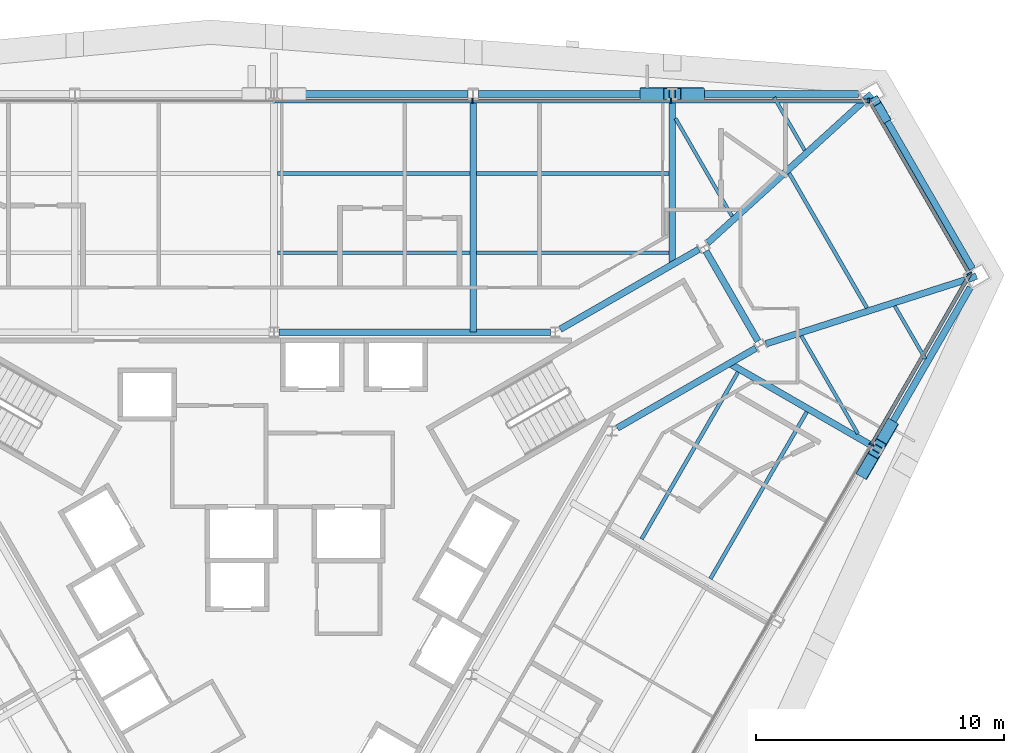
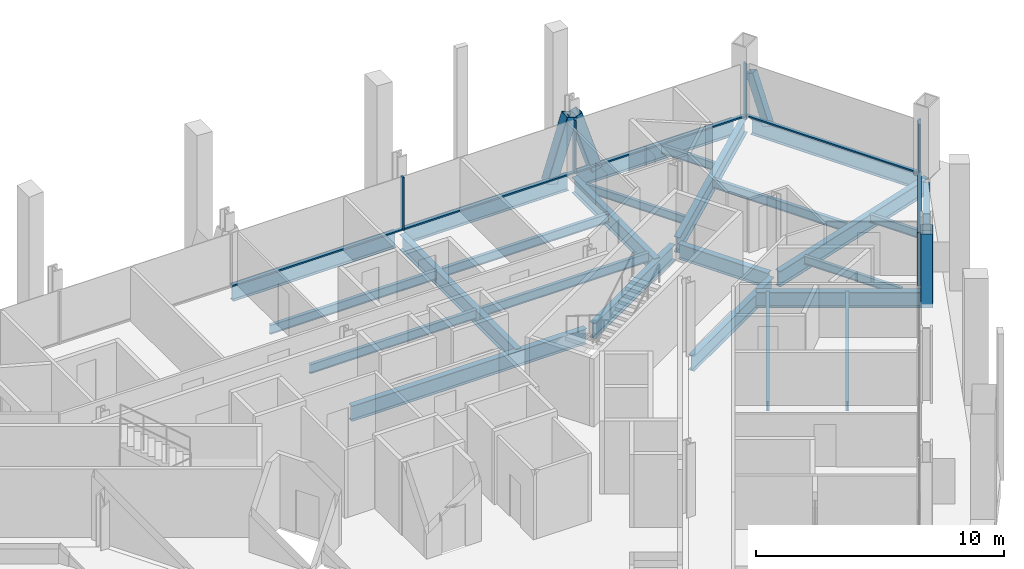
# One storey, part 8 of 16: 25 beams, 15 members, 3 elements without a shape of their own.
"""IFC4 building model written with IfcOpenShell, lengths in metres."""

from ifc_helpers import new_model, si_unit, direction, frame, origin, origin_2d, place, context, subcontext, project, spatial, rectangle, hollow_rectangle, i_section, extrude, material, material_profile, profile_set, type_object, element, aggregate, save


model = new_model("IFC4")

# Units and contexts
model_context = context("Model", 3, precision=1e-05, world=origin(), true_north=direction((0.0, 1.0)))
body_context = subcontext(model_context, "Body", "Model", "MODEL_VIEW")
ifc_project = project(units=[si_unit("LENGTHUNIT", "METRE"), si_unit("AREAUNIT", "SQUARE_METRE"), si_unit("VOLUMEUNIT", "CUBIC_METRE"), si_unit("PLANEANGLEUNIT", "RADIAN"), si_unit("MASSUNIT", "GRAM", prefix="KILO")], contexts=[model_context])

# Site, building, storey
site_placement = place(None, origin())
site = spatial("IfcSite", under=ifc_project, at=site_placement, CompositionType="ELEMENT")
building_placement = place(site_placement, origin())
building = spatial("IfcBuilding", under=site, at=building_placement, Name="Verrane Prism Tower", CompositionType="ELEMENT")
storey_placement = place(building_placement, frame((0.0, 0.0, 114.39990234375)))
storey = spatial("IfcBuildingStorey", under=building, at=storey_placement, Name="L27", CompositionType="ELEMENT", Elevation=114.39990234375)

# Member
ifc_material_1 = material(Name="Steel A500 Grade C", Category="steel")
ifc_material_profile_1 = material_profile(ifc_material_1, hollow_rectangle(XDim=0.355712890625, YDim=0.355712890625, WallThickness=0.0126953125, InnerFilletRadius=0.00634765625, OuterFilletRadius=0.01904296875, at=origin_2d()), Name="HSS14x14x1/2")
ifc_profile_set_1 = profile_set([ifc_material_profile_1], Name="Steel A500 Grade C")
member_type_1 = type_object("IfcMemberType", Name="Chamfer brace HSS14x14x1/2", PredefinedType="BRACE", material=ifc_profile_set_1)
member_1_placement = place(storey_placement, frame((24.62548828125, 17.828369140625, -0.2451171875), z_axis=(-0.159494912328, 0.276064033437, 0.947813284558), x_axis=(-0.865876963139, -0.500257018647, 0.0)))
element("IfcMember", 1, at=member_1_placement, inside=storey, type_object=member_type_1, Name="Chamfer brace NE0 L27", PredefinedType="BRACE", context=body_context, shape_type="SweptSolid", body=[
    extrude(hollow_rectangle(XDim=0.355712890625, YDim=0.355712890625, WallThickness=0.0126953125, InnerFilletRadius=0.00634765625, OuterFilletRadius=0.01904296875, at=origin_2d()), origin(), (0.0, 0.0, 1.0), 2.479736328125),
])

# Beams
ifc_material_2 = material(Name="Steel A992", Category="steel")
ifc_material_profile_2 = material_profile(ifc_material_2, i_section(OverallWidth=0.2666015625, OverallDepth=0.76708984375, WebThickness=0.014892578125, FlangeThickness=0.023681640625, FilletRadius=0.0166015625, at=origin_2d()), Name="W30x124")
ifc_profile_set_2 = profile_set([ifc_material_profile_2], Name="Steel A992")
beam_type_1 = type_object("IfcBeamType", Name="Chamfer spandrel beam W30x124", PredefinedType="SPANDREL", material=ifc_profile_set_2)
beam_1_placement = place(storey_placement, frame((28.135009765625, 11.753173828125, -0.54345703125), z_axis=(-0.500214307011, 0.865901638214, 0.0), x_axis=(-0.865901638214, -0.500214307011, 0.0)))
element("IfcBeam", 2, at=beam_1_placement, inside=storey, type_object=beam_type_1, Name="Chamfer spandrel beam L27", PredefinedType="SPANDREL", context=body_context, shape_type="SweptSolid", body=[
    extrude(i_section(OverallWidth=0.2666015625, OverallDepth=0.76708984375, WebThickness=0.014892578125, FlangeThickness=0.023681640625, FilletRadius=0.0166015625, at=origin_2d()), origin(), (0.0, 0.0, 1.0), 7.7763671875),
])
ifc_material_3 = material(Name="Steel A992", Category="steel")
ifc_material_profile_3 = material_profile(ifc_material_3, i_section(OverallWidth=0.2666015625, OverallDepth=0.7568359375, WebThickness=0.013916015625, FlangeThickness=0.019287109375, FilletRadius=0.0166015625, at=origin_2d()), Name="W30x108")
ifc_profile_set_3 = profile_set([ifc_material_profile_3], Name="Steel A992")
beam_type_2 = type_object("IfcBeamType", Name="Core ring girder W30x108", PredefinedType="BEAM", material=ifc_profile_set_3)
beam_2_placement = place(storey_placement, frame((13.830810546875, 5.335693359375, -0.62841796875), z_axis=(0.866455532004, 0.499254254924, 0.0), x_axis=(-0.499254254924, 0.866455532004, 0.0)))
element("IfcBeam", 3, at=beam_2_placement, inside=storey, type_object=beam_type_2, Name="Core ring girder L27", PredefinedType="BEAM", context=body_context, shape_type="SweptSolid", body=[
    extrude(i_section(OverallWidth=0.2666015625, OverallDepth=0.7568359375, WebThickness=0.013916015625, FlangeThickness=0.019287109375, FilletRadius=0.0166015625, at=origin_2d()), origin(), (0.0, 0.0, 1.0), 6.441162109375),
])
beam_3_placement = place(storey_placement, frame((19.4970703125, 8.838134765625, -0.62841796875), z_axis=(-0.500367003619, 0.865813410435, 0.0), x_axis=(-0.865813410435, -0.500367003619, 0.0)))
element("IfcBeam", 4, at=beam_3_placement, inside=storey, type_object=beam_type_2, Name="Core ring girder L27", PredefinedType="BEAM", context=body_context, shape_type="SweptSolid", body=[
    extrude(i_section(OverallWidth=0.2666015625, OverallDepth=0.7568359375, WebThickness=0.013916015625, FlangeThickness=0.019287109375, FilletRadius=0.0166015625, at=origin_2d()), origin(), (0.0, 0.0, 1.0), 4.185302734375),
])
beam_4_placement = place(storey_placement, frame((17.11181640625, 12.531494140625, -0.62841796875), z_axis=(-0.866455532004, -0.499254254924, 0.0), x_axis=(0.499254254924, -0.866455532004, 0.0)))
element("IfcBeam", 5, at=beam_4_placement, inside=storey, type_object=beam_type_2, Name="Core ring girder L27", PredefinedType="BEAM", context=body_context, shape_type="SweptSolid", body=[
    extrude(i_section(OverallWidth=0.2666015625, OverallDepth=0.7568359375, WebThickness=0.013916015625, FlangeThickness=0.019287109375, FilletRadius=0.0166015625, at=origin_2d()), origin(), (0.0, 0.0, 1.0), 6.441162109375),
])
beam_5_placement = place(storey_placement, frame((11.12939453125, 9.199951171875, -0.62841796875), z_axis=(-1.0, 0.0, 0.0), x_axis=(0.0, -1.0, 0.0)))
element("IfcBeam", 6, at=beam_5_placement, inside=storey, type_object=beam_type_2, Name="Core ring girder L27", PredefinedType="BEAM", context=body_context, shape_type="SweptSolid", body=[
    extrude(i_section(OverallWidth=0.2666015625, OverallDepth=0.7568359375, WebThickness=0.013916015625, FlangeThickness=0.019287109375, FilletRadius=0.0166015625, at=origin_2d()), origin(), (0.0, 0.0, 1.0), 10.9287109375),
])
ifc_material_4 = material(Name="Steel A992", Category="steel")
ifc_material_profile_4 = material_profile(ifc_material_4, i_section(OverallWidth=0.2666015625, OverallDepth=0.76708984375, WebThickness=0.014892578125, FlangeThickness=0.023681640625, FilletRadius=0.0166015625, at=origin_2d()), Name="W30x124")
ifc_profile_set_4 = profile_set([ifc_material_profile_4], Name="Steel A992")
beam_type_3 = type_object("IfcBeamType", Name="Corner girder W30x124", PredefinedType="BEAM", material=ifc_profile_set_4)
beam_6_placement = place(storey_placement, frame((28.3056640625, 11.448486328125, -0.603515625), z_axis=(-0.952340206189, -0.305037918423, 0.0), x_axis=(0.305037918423, -0.952340206189, 0.0)))
element("IfcBeam", 7, at=beam_6_placement, inside=storey, type_object=beam_type_3, Name="Corner girder L27", PredefinedType="BEAM", context=body_context, shape_type="SweptSolid", body=[
    extrude(i_section(OverallWidth=0.2666015625, OverallDepth=0.76708984375, WebThickness=0.014892578125, FlangeThickness=0.023681640625, FilletRadius=0.0166015625, at=origin_2d()), origin(), (0.0, 0.0, 1.0), 8.919189453125),
])
beam_7_placement = place(storey_placement, frame((24.068115234375, 18.788330078125, -0.603515625), z_axis=(-0.740172818675, -0.67241668517, 0.0), x_axis=(0.67241668517, -0.740172818675, 0.0)))
element("IfcBeam", 8, at=beam_7_placement, inside=storey, type_object=beam_type_3, Name="Corner girder L27", PredefinedType="BEAM", context=body_context, shape_type="SweptSolid", body=[
    extrude(i_section(OverallWidth=0.2666015625, OverallDepth=0.76708984375, WebThickness=0.014892578125, FlangeThickness=0.023681640625, FilletRadius=0.0166015625, at=origin_2d()), origin(), (0.0, 0.0, 1.0), 8.921630859375),
])

# Members
ifc_material_5 = material(Name="Steel A1085 Grade A", Category="steel")
ifc_material_profile_5 = material_profile(ifc_material_5, hollow_rectangle(XDim=0.508056640625, YDim=0.508056640625, WallThickness=0.025390625, InnerFilletRadius=0.0126953125, OuterFilletRadius=0.0380859375, at=origin_2d()), Name="HSS20x20x1")
ifc_profile_set_5 = profile_set([ifc_material_profile_5], Name="Steel A1085 Grade A")
member_type_2 = type_object("IfcMemberType", Name="Facade brace HSS20x20x1", PredefinedType="BRACE", material=ifc_profile_set_5)
member_2_placement = place(storey_placement, frame((17.093017578125, 18.7900390625, -0.242431640625), z_axis=(-0.303647538886, 0.0, 0.952784431091), x_axis=(0.0, -1.0, 0.0)))
element("IfcMember", 9, at=member_2_placement, inside=storey, type_object=member_type_2, Name="Facade brace N0 L27", PredefinedType="BRACE", context=body_context, shape_type="SweptSolid", body=[
    extrude(hollow_rectangle(XDim=0.508056640625, YDim=0.508056640625, WallThickness=0.025390625, InnerFilletRadius=0.0126953125, OuterFilletRadius=0.0380859375, at=origin_2d()), origin(), (0.0, 0.0, 1.0), 3.10986328125),
])
member_3_placement = place(storey_placement, frame((14.988525390625, 18.7900390625, -0.242431640625), z_axis=(0.303219860808, 0.0, 0.952920624192), x_axis=(0.0, 1.0, 0.0)))
element("IfcMember", 10, at=member_3_placement, inside=storey, type_object=member_type_2, Name="Facade brace N1 L27", PredefinedType="BRACE", context=body_context, shape_type="SweptSolid", body=[
    extrude(hollow_rectangle(XDim=0.508056640625, YDim=0.508056640625, WallThickness=0.025390625, InnerFilletRadius=0.0126953125, OuterFilletRadius=0.0380859375, at=origin_2d()), origin(), (0.0, 0.0, 1.0), 3.109619140625),
])
member_4_placement = place(storey_placement, frame((23.77294921875, 3.5888671875, -0.242431640625), z_axis=(0.151985888014, 0.262756594619, 0.952816489062), x_axis=(-0.865620994391, 0.500699804344, 0.0)))
element("IfcMember", 11, at=member_4_placement, inside=storey, type_object=member_type_2, Name="Facade brace SE4 L27", PredefinedType="BRACE", context=body_context, shape_type="SweptSolid", body=[
    extrude(hollow_rectangle(XDim=0.508056640625, YDim=0.508056640625, WallThickness=0.025390625, InnerFilletRadius=0.0126953125, OuterFilletRadius=0.0380859375, at=origin_2d()), origin(), (0.0, 0.0, 1.0), 3.10986328125),
])
member_5_placement = place(storey_placement, frame((24.82568359375, 5.4111328125, -0.242431640625), z_axis=(-0.151602395414, -0.262772251399, 0.952873264185), x_axis=(0.866181277581, -0.499729921425, 0.0)))
element("IfcMember", 12, at=member_5_placement, inside=storey, type_object=member_type_2, Name="Facade brace SE5 L27", PredefinedType="BRACE", context=body_context, shape_type="SweptSolid", body=[
    extrude(hollow_rectangle(XDim=0.508056640625, YDim=0.508056640625, WallThickness=0.025390625, InnerFilletRadius=0.0126953125, OuterFilletRadius=0.0380859375, at=origin_2d()), origin(), (0.0, 0.0, 1.0), 3.109619140625),
])

# Beams
ifc_material_6 = material(Name="Steel A992", Category="steel")
ifc_material_profile_6 = material_profile(ifc_material_6, i_section(OverallWidth=0.140380859375, OverallDepth=0.40380859375, WebThickness=0.007080078125, FlangeThickness=0.01123046875, FilletRadius=0.01025390625, at=origin_2d()), Name="W16x31")
ifc_profile_set_6 = profile_set([ifc_material_profile_6], Name="Steel A992")
beam_type_4 = type_object("IfcBeamType", Name="Floor beam W16x31", PredefinedType="BEAM", material=ifc_profile_set_6)
beam_8_placement = place(storey_placement, frame((21.37744140625, 16.5244140625, -0.36181640625), z_axis=(-0.500000007376, 0.866025399526, 0.0), x_axis=(-0.866025399526, -0.500000007376, 0.0)))
element("IfcBeam", 13, at=beam_8_placement, inside=storey, type_object=beam_type_4, Name="Floor beam L27", PredefinedType="BEAM", context=body_context, shape_type="SweptSolid", body=[
    extrude(i_section(OverallWidth=0.140380859375, OverallDepth=0.40380859375, WebThickness=0.007080078125, FlangeThickness=0.01123046875, FilletRadius=0.01025390625, at=origin_2d()), origin(), (0.0, 0.0, 1.0), 2.4619140625),
])
beam_9_placement = place(storey_placement, frame((18.4501953125, 13.864990234375, -0.36181640625), z_axis=(-0.500008678503, 0.86602039319, 0.0), x_axis=(-0.86602039319, -0.500008678503, 0.0)))
element("IfcBeam", 14, at=beam_9_placement, inside=storey, type_object=beam_type_4, Name="Floor beam L27", PredefinedType="BEAM", context=body_context, shape_type="SweptSolid", body=[
    extrude(i_section(OverallWidth=0.140380859375, OverallDepth=0.40380859375, WebThickness=0.007080078125, FlangeThickness=0.01123046875, FilletRadius=0.01025390625, at=origin_2d()), origin(), (0.0, 0.0, 1.0), 4.55322265625),
])
beam_10_placement = place(storey_placement, frame((26.23583984375, 8.122314453125, -0.36181640625), z_axis=(-0.500026134388, 0.866010314562, 0.0), x_axis=(-0.866010314562, -0.500026134388, 0.0)))
element("IfcBeam", 15, at=beam_10_placement, inside=storey, type_object=beam_type_4, Name="Floor beam L27", PredefinedType="BEAM", context=body_context, shape_type="SweptSolid", body=[
    extrude(i_section(OverallWidth=0.140380859375, OverallDepth=0.40380859375, WebThickness=0.007080078125, FlangeThickness=0.01123046875, FilletRadius=0.01025390625, at=origin_2d()), origin(), (0.0, 0.0, 1.0), 2.458740234375),
])
beam_11_placement = place(storey_placement, frame((23.5205078125, 5.104736328125, -0.36181640625), z_axis=(-0.500004125498, 0.866023021914, 0.0), x_axis=(-0.866023021914, -0.500004125498, 0.0)))
element("IfcBeam", 16, at=beam_11_placement, inside=storey, type_object=beam_type_4, Name="Floor beam L27", PredefinedType="BEAM", context=body_context, shape_type="SweptSolid", body=[
    extrude(i_section(OverallWidth=0.140380859375, OverallDepth=0.40380859375, WebThickness=0.007080078125, FlangeThickness=0.01123046875, FilletRadius=0.01025390625, at=origin_2d()), origin(), (0.0, 0.0, 1.0), 4.5517578125),
])
ifc_material_7 = material(Name="Steel A992", Category="steel")
ifc_material_profile_7 = material_profile(ifc_material_7, i_section(OverallWidth=0.15234375, OverallDepth=0.449462890625, WebThickness=0.007568359375, FlangeThickness=0.0107421875, FilletRadius=0.01025390625, at=origin_2d()), Name="W18x35")
ifc_profile_set_7 = profile_set([ifc_material_profile_7], Name="Steel A992")
beam_type_5 = type_object("IfcBeamType", Name="Floor beam W18x35", PredefinedType="BEAM", material=ifc_profile_set_7)
for number, where, z_axis, x_axis, name in (
    (17, (8.153564453125, 12.396728515625, -0.384765625), (1.0, 0.0, 0.0), (0.0, 1.0, 0.0), "Floor beam L27"),
    (18, (8.153564453125, 15.59326171875, -0.384765625), (1.0, 0.0, 0.0), (0.0, 1.0, 0.0), "Floor beam L27"),
    (19, (0.133544921875, 12.396728515625, -0.384765625), (1.0, 0.0, 0.0), (0.0, 1.0, 0.0), "Floor beam L27"),
    (20, (0.133544921875, 15.59326171875, -0.384765625), (1.0, 0.0, 0.0), (0.0, 1.0, 0.0), "Floor beam L27"),
):
    element("IfcBeam", number, at=place(storey_placement, frame(where, z_axis=z_axis, x_axis=x_axis)), inside=storey, type_object=beam_type_5, Name=name, PredefinedType="BEAM", context=body_context, shape_type="SweptSolid", body=[
        extrude(i_section(OverallWidth=0.15234375, OverallDepth=0.449462890625, WebThickness=0.007568359375, FlangeThickness=0.0107421875, FilletRadius=0.01025390625, at=origin_2d()), origin(), (0.0, 0.0, 1.0), 7.7529296875),
    ])
beam_12_placement = place(storey_placement, frame((17.58056640625, -0.736572265625, -0.384765625), z_axis=(0.499974721637, 0.866039997762, 0.0), x_axis=(-0.866039997762, 0.499974721637, 0.0)))
element("IfcBeam", 21, at=beam_12_placement, inside=storey, type_object=beam_type_5, Name="Floor beam L27", PredefinedType="BEAM", context=body_context, shape_type="SweptSolid", body=[
    extrude(i_section(OverallWidth=0.15234375, OverallDepth=0.449462890625, WebThickness=0.007568359375, FlangeThickness=0.0107421875, FilletRadius=0.01025390625, at=origin_2d()), origin(), (0.0, 0.0, 1.0), 7.76318359375),
])
beam_13_placement = place(storey_placement, frame((14.80859375, 0.864501953125, -0.384765625), z_axis=(0.500014594887, 0.866016977259, 0.0), x_axis=(-0.866016977259, 0.500014594887, 0.0)))
element("IfcBeam", 22, at=beam_13_placement, inside=storey, type_object=beam_type_5, Name="Floor beam L27", PredefinedType="BEAM", context=body_context, shape_type="SweptSolid", body=[
    extrude(i_section(OverallWidth=0.15234375, OverallDepth=0.449462890625, WebThickness=0.007568359375, FlangeThickness=0.0107421875, FilletRadius=0.01025390625, at=origin_2d()), origin(), (0.0, 0.0, 1.0), 7.764404296875),
])
beam_14_placement = place(storey_placement, frame((23.8857421875, 10.173095703125, -0.384765625), z_axis=(-0.50001262068, 0.866018117109, 0.0), x_axis=(-0.866018117109, -0.50001262068, 0.0)))
element("IfcBeam", 23, at=beam_14_placement, inside=storey, type_object=beam_type_5, Name="Floor beam L27", PredefinedType="BEAM", context=body_context, shape_type="SweptSolid", body=[
    extrude(i_section(OverallWidth=0.15234375, OverallDepth=0.449462890625, WebThickness=0.007568359375, FlangeThickness=0.0107421875, FilletRadius=0.01025390625, at=origin_2d()), origin(), (0.0, 0.0, 1.0), 6.263427734375),
])

# Curtain wall, member
ifc_material_8 = material(Name="Aluminium framed insulated glazing", Category="aluminium")
curtain_wall_type = type_object("IfcCurtainWallType", Name="Curtain wall CW-A 8400 module", PredefinedType="NOTDEFINED", material=ifc_material_8)
curtain_wall_1_placement = place(storey_placement, origin())
curtain_wall_1 = element("IfcCurtainWall", 24, at=curtain_wall_1_placement, inside=storey, type_object=curtain_wall_type, Name="Glazed curtain wall north-east corner L27", PredefinedType="NOTDEFINED")
ifc_material_9 = material(Name="Aluminium alloy 6063-T6", Category="aluminium")
ifc_material_profile_8 = material_profile(ifc_material_9, rectangle(XDim=0.199951171875, YDim=0.070068359375, at=origin_2d()), Name="Mullion 70x200 aluminium")
ifc_profile_set_8 = profile_set([ifc_material_profile_8], Name="Aluminium alloy 6063-T6")
member_type_3 = type_object("IfcMemberType", Name="Mullion 70x200 aluminium", PredefinedType="MULLION", material=ifc_profile_set_8)
member_6_placement = place(storey_placement, frame((28.010498046875, 11.55419921875, 0.0), z_axis=(0.0, 0.0, 1.0), x_axis=(-0.866027890405, -0.499995693021, 0.0)))
member_6 = element("IfcMember", 25, at=member_6_placement, type_object=member_type_3, Name="CW27.1 mullion 1", PredefinedType="MULLION", context=body_context, shape_type="SweptSolid", body=[
    extrude(rectangle(XDim=0.199951171875, YDim=0.070068359375, at=origin_2d()), origin(), (0.0, 0.0, 1.0), 2.613037109375),
])

# Curtain wall, members
curtain_wall_2_placement = place(storey_placement, origin())
curtain_wall_2 = element("IfcCurtainWall", 26, at=curtain_wall_2_placement, inside=storey, type_object=curtain_wall_type, Name="Glazed curtain wall north face L27", PredefinedType="NOTDEFINED")
member_7_placement = place(storey_placement, frame((23.958984375, 18.510986328125, 0.0), z_axis=(0.0, 0.0, 1.0), x_axis=(0.0, -1.0, 0.0)))
member_7 = element("IfcMember", 27, at=member_7_placement, type_object=member_type_3, Name="CW27.2 mullion 1", PredefinedType="MULLION", context=body_context, shape_type="SweptSolid", body=[
    extrude(rectangle(XDim=0.199951171875, YDim=0.070068359375, at=origin_2d()), origin(), (0.0, 0.0, 1.0), 2.613037109375),
])
member_8_placement = place(storey_placement, frame((15.99609375, 18.510986328125, 0.0), z_axis=(0.0, 0.0, 1.0), x_axis=(0.0, -1.0, 0.0)))
member_8 = element("IfcMember", 28, at=member_8_placement, type_object=member_type_3, Name="CW27.2 mullion 2", PredefinedType="MULLION", context=body_context, shape_type="SweptSolid", body=[
    extrude(rectangle(XDim=0.199951171875, YDim=0.070068359375, at=origin_2d()), origin(), (0.0, 0.0, 1.0), 2.613037109375),
])
member_9_placement = place(storey_placement, frame((7.998046875, 18.510986328125, 0.0), z_axis=(0.0, 0.0, 1.0), x_axis=(0.0, -1.0, 0.0)))
member_9 = element("IfcMember", 29, at=member_9_placement, type_object=member_type_3, Name="CW27.2 mullion 3", PredefinedType="MULLION", context=body_context, shape_type="SweptSolid", body=[
    extrude(rectangle(XDim=0.199951171875, YDim=0.070068359375, at=origin_2d()), origin(), (0.0, 0.0, 1.0), 2.613037109375),
])

# Curtain wall, member
curtain_wall_3_placement = place(storey_placement, origin())
curtain_wall_3 = element("IfcCurtainWall", 30, at=curtain_wall_3_placement, inside=storey, type_object=curtain_wall_type, Name="Glazed curtain wall south-east face L27", PredefinedType="NOTDEFINED")
member_10_placement = place(storey_placement, frame((24.07177734375, 4.671630859375, 0.0), z_axis=(0.0, 0.0, 1.0), x_axis=(-0.866026054504, 0.49999887292, 0.0)))
member_10 = element("IfcMember", 31, at=member_10_placement, type_object=member_type_3, Name="CW27.6 mullion 5", PredefinedType="MULLION", context=body_context, shape_type="SweptSolid", body=[
    extrude(rectangle(XDim=0.199951171875, YDim=0.070068359375, at=origin_2d()), origin(), (0.0, 0.0, 1.0), 2.613037109375),
])

# Beams
ifc_material_10 = material(Name="Steel A992", Category="steel")
ifc_material_profile_9 = material_profile(ifc_material_10, i_section(OverallWidth=0.2666015625, OverallDepth=0.76708984375, WebThickness=0.014892578125, FlangeThickness=0.023681640625, FilletRadius=0.0166015625, at=origin_2d()), Name="W30x124")
ifc_profile_set_9 = profile_set([ifc_material_profile_9], Name="Steel A992")
beam_type_6 = type_object("IfcBeamType", Name="Radial girder W30x124", PredefinedType="BEAM", material=ifc_profile_set_9)
beam_15_placement = place(storey_placement, frame((16.0400390625, 18.552490234375, -0.603515625), z_axis=(0.0, -1.0, 0.0), x_axis=(1.0, 0.0, 0.0)))
element("IfcBeam", 32, at=beam_15_placement, inside=storey, type_object=beam_type_6, Name="Radial girder L27", PredefinedType="BEAM", context=body_context, shape_type="SweptSolid", body=[
    extrude(i_section(OverallWidth=0.2666015625, OverallDepth=0.76708984375, WebThickness=0.014892578125, FlangeThickness=0.023681640625, FilletRadius=0.0166015625, at=origin_2d()), origin(), (0.0, 0.0, 1.0), 6.638427734375),
])
beam_16_placement = place(storey_placement, frame((8.02001953125, 18.552490234375, -0.603515625), z_axis=(0.0, -1.0, 0.0), x_axis=(1.0, 0.0, 0.0)))
element("IfcBeam", 33, at=beam_16_placement, inside=storey, type_object=beam_type_6, Name="Radial girder L27", PredefinedType="BEAM", context=body_context, shape_type="SweptSolid", body=[
    extrude(i_section(OverallWidth=0.2666015625, OverallDepth=0.76708984375, WebThickness=0.014892578125, FlangeThickness=0.023681640625, FilletRadius=0.0166015625, at=origin_2d()), origin(), (0.0, 0.0, 1.0), 9.3525390625),
])
beam_17_placement = place(storey_placement, frame((24.09423828125, 4.61865234375, -0.603515625), z_axis=(-0.866011622103, 0.500023869813, 0.0), x_axis=(-0.500023869813, -0.866011622103, 0.0)))
element("IfcBeam", 34, at=beam_17_placement, inside=storey, type_object=beam_type_6, Name="Radial girder L27", PredefinedType="BEAM", context=body_context, shape_type="SweptSolid", body=[
    extrude(i_section(OverallWidth=0.2666015625, OverallDepth=0.76708984375, WebThickness=0.014892578125, FlangeThickness=0.023681640625, FilletRadius=0.0166015625, at=origin_2d()), origin(), (0.0, 0.0, 1.0), 6.637451171875),
])
ifc_material_11 = material(Name="Steel A992", Category="steel")
ifc_material_profile_10 = material_profile(ifc_material_11, i_section(OverallWidth=0.2666015625, OverallDepth=0.7568359375, WebThickness=0.013916015625, FlangeThickness=0.019287109375, FilletRadius=0.0166015625, at=origin_2d()), Name="W30x108")
ifc_profile_set_10 = profile_set([ifc_material_profile_10], Name="Steel A992")
beam_type_7 = type_object("IfcBeamType", Name="Spandrel beam W30x108", PredefinedType="SPANDREL", material=ifc_profile_set_10)
beam_18_placement = place(storey_placement, frame((23.55029296875, 18.7900390625, -0.538330078125), z_axis=(-1.0, 0.0, 0.0), x_axis=(0.0, -1.0, 0.0)))
element("IfcBeam", 35, at=beam_18_placement, inside=storey, type_object=beam_type_7, Name="Spandrel beam L27", PredefinedType="SPANDREL", context=body_context, shape_type="SweptSolid", body=[
    extrude(i_section(OverallWidth=0.2666015625, OverallDepth=0.7568359375, WebThickness=0.013916015625, FlangeThickness=0.019287109375, FilletRadius=0.0166015625, at=origin_2d()), origin(), (0.0, 0.0, 1.0), 7.298095703125),
])
for number, where, z_axis, x_axis, name in (
    (36, (15.827880859375, 18.7900390625, -0.538330078125), (-1.0, 0.0, 0.0), (0.0, -1.0, 0.0), "Spandrel beam L27"),
    (37, (7.807861328125, 18.7900390625, -0.538330078125), (-1.0, 0.0, 0.0), (0.0, -1.0, 0.0), "Spandrel beam L27"),
):
    element("IfcBeam", number, at=place(storey_placement, frame(where, z_axis=z_axis, x_axis=x_axis)), inside=storey, type_object=beam_type_7, Name=name, PredefinedType="SPANDREL", context=body_context, shape_type="SweptSolid", body=[
        extrude(i_section(OverallWidth=0.2666015625, OverallDepth=0.7568359375, WebThickness=0.013916015625, FlangeThickness=0.019287109375, FilletRadius=0.0166015625, at=origin_2d()), origin(), (0.0, 0.0, 1.0), 7.595703125),
    ])
beam_19_placement = place(storey_placement, frame((24.406005859375, 4.68359375, -0.538330078125), z_axis=(0.499743707602, 0.866173323713, 0.0), x_axis=(-0.866173323713, 0.499743707602, 0.0)))
element("IfcBeam", 38, at=beam_19_placement, inside=storey, type_object=beam_type_7, Name="Spandrel beam L27", PredefinedType="SPANDREL", context=body_context, shape_type="SweptSolid", body=[
    extrude(i_section(OverallWidth=0.2666015625, OverallDepth=0.7568359375, WebThickness=0.013916015625, FlangeThickness=0.019287109375, FilletRadius=0.0166015625, at=origin_2d()), origin(), (0.0, 0.0, 1.0), 7.292236328125),
])

# Member
ifc_material_12 = material(Name="Aluminium alloy 6063-T6", Category="aluminium")
ifc_material_profile_11 = material_profile(ifc_material_12, rectangle(XDim=0.14990234375, YDim=0.070068359375, at=origin_2d()), Name="Transom 70x150 aluminium")
ifc_profile_set_11 = profile_set([ifc_material_profile_11], Name="Aluminium alloy 6063-T6")
member_type_4 = type_object("IfcMemberType", Name="Transom 70x150 aluminium", PredefinedType="USERDEFINED", material=ifc_profile_set_11)
member_11_placement = place(storey_placement, frame((27.992919921875, 11.584716796875, 0.03515625), z_axis=(-0.499990220787, 0.866031049742, 0.0), x_axis=(-0.866031049742, -0.499990220787, 0.0)))
member_11 = element("IfcMember", 39, at=member_11_placement, type_object=member_type_4, Name="CW27.1 transom 1", ObjectType="TRANSOM", PredefinedType="USERDEFINED", context=body_context, shape_type="SweptSolid", body=[
    extrude(rectangle(XDim=0.14990234375, YDim=0.070068359375, at=origin_2d()), origin(), (0.0, 0.0, 1.0), 7.997802734375),
])

aggregate(curtain_wall_1, [member_6, member_11])

member_12_placement = place(storey_placement, frame((23.924072265625, 18.510986328125, 0.03515625), z_axis=(-1.0, 0.0, 0.0), x_axis=(0.0, -1.0, 0.0)))
member_12 = element("IfcMember", 40, at=member_12_placement, type_object=member_type_4, Name="CW27.2 transom 1", ObjectType="TRANSOM", PredefinedType="USERDEFINED", context=body_context, shape_type="SweptSolid", body=[
    extrude(rectangle(XDim=0.14990234375, YDim=0.070068359375, at=origin_2d()), origin(), (0.0, 0.0, 1.0), 7.89306640625),
])

member_13_placement = place(storey_placement, frame((15.961181640625, 18.510986328125, 0.03515625), z_axis=(-1.0, 0.0, 0.0), x_axis=(0.0, -1.0, 0.0)))
member_13 = element("IfcMember", 41, at=member_13_placement, type_object=member_type_4, Name="CW27.2 transom 2", ObjectType="TRANSOM", PredefinedType="USERDEFINED", context=body_context, shape_type="SweptSolid", body=[
    extrude(rectangle(XDim=0.14990234375, YDim=0.070068359375, at=origin_2d()), origin(), (0.0, 0.0, 1.0), 7.92822265625),
])

member_14_placement = place(storey_placement, frame((7.963134765625, 18.510986328125, 0.03515625), z_axis=(-1.0, 0.0, 0.0), x_axis=(0.0, -1.0, 0.0)))
member_14 = element("IfcMember", 42, at=member_14_placement, type_object=member_type_4, Name="CW27.2 transom 3", ObjectType="TRANSOM", PredefinedType="USERDEFINED", context=body_context, shape_type="SweptSolid", body=[
    extrude(rectangle(XDim=0.14990234375, YDim=0.070068359375, at=origin_2d()), origin(), (0.0, 0.0, 1.0), 7.92822265625),
])

aggregate(curtain_wall_2, [member_7, member_8, member_9, member_12, member_13, member_14])

member_15_placement = place(storey_placement, frame((24.08935546875, 4.701904296875, 0.03515625), z_axis=(0.500002357631, 0.866024042601, 0.0), x_axis=(-0.866024042601, 0.500002357631, 0.0)))
member_15 = element("IfcMember", 43, at=member_15_placement, type_object=member_type_4, Name="CW27.6 transom 5", ObjectType="TRANSOM", PredefinedType="USERDEFINED", context=body_context, shape_type="SweptSolid", body=[
    extrude(rectangle(XDim=0.14990234375, YDim=0.070068359375, at=origin_2d()), origin(), (0.0, 0.0, 1.0), 7.87744140625),
])

aggregate(curtain_wall_3, [member_10, member_15])

save(model, "model.ifc")
